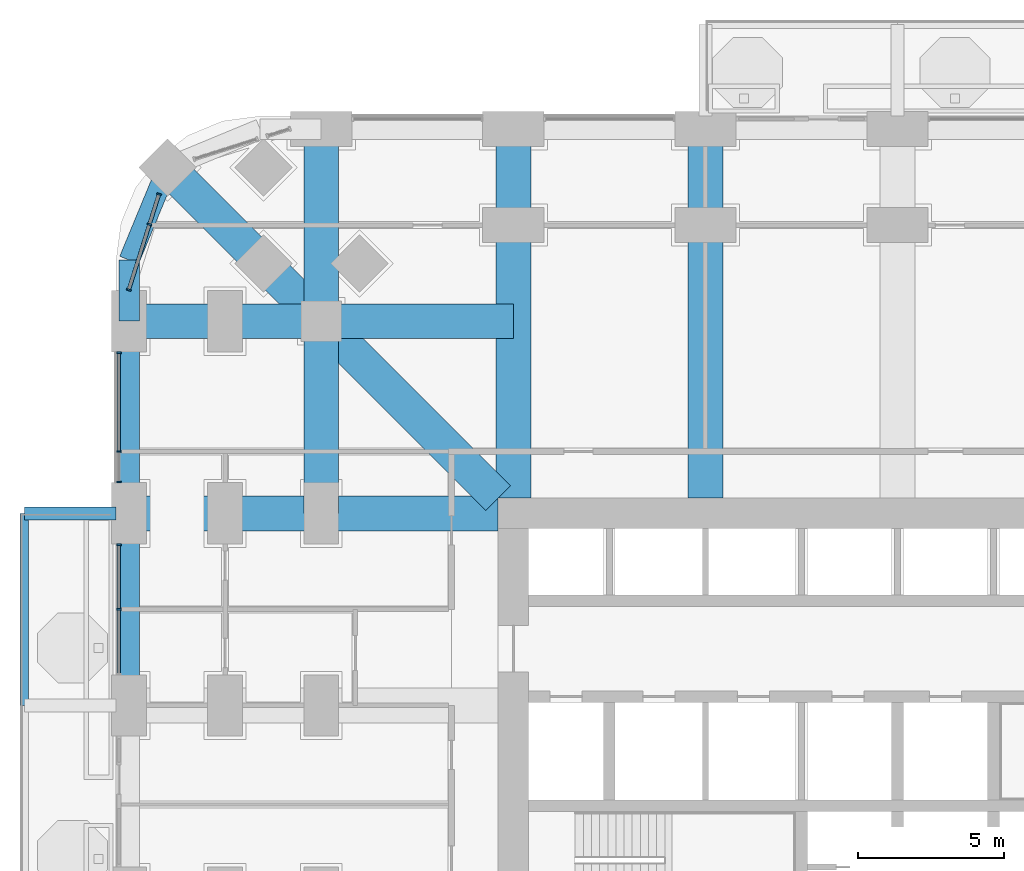
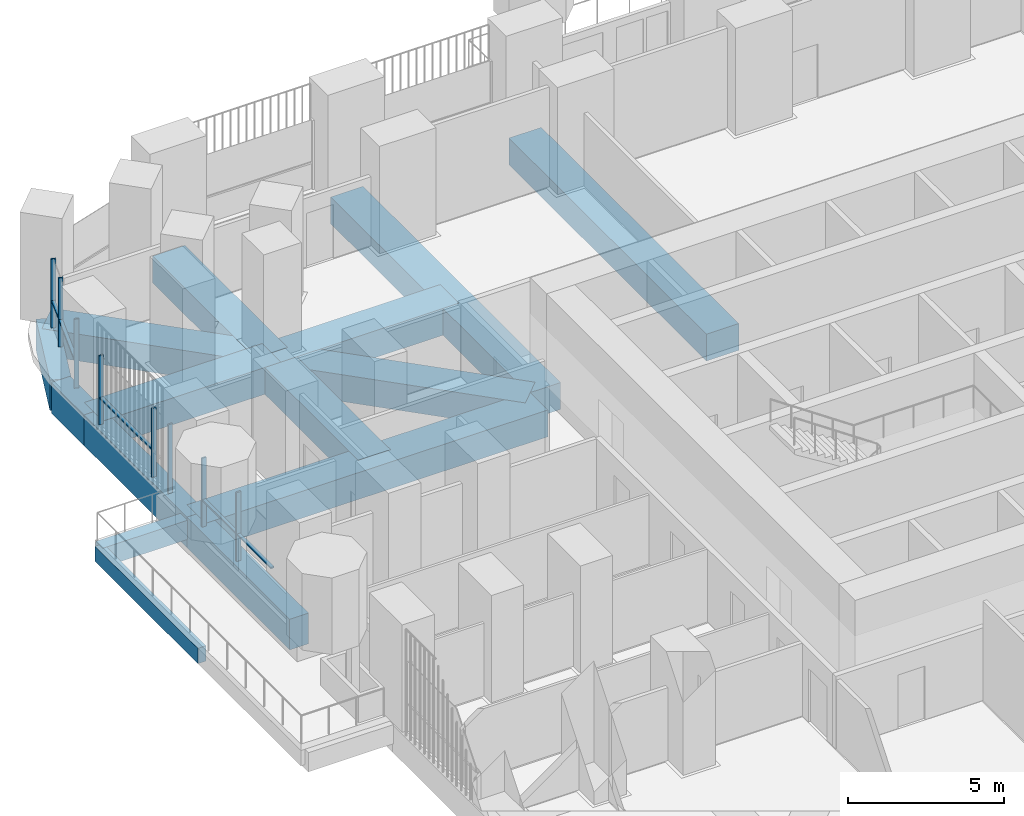
# One storey, part 6 of 26: 15 beams, 13 members, 3 elements without a shape of their own.
"""IFC4 building model written with IfcOpenShell, lengths in metres."""

from ifc_helpers import new_model, si_unit, direction, frame, origin, origin_2d, place, context, subcontext, project, spatial, rectangle, extrude, material, material_profile, profile_set, type_object, element, aggregate, save


model = new_model("IFC4")

# Units and contexts
model_context = context("Model", 3, precision=1e-05, world=origin(), true_north=direction((0.0, 1.0)))
body_context = subcontext(model_context, "Body", "Model", "MODEL_VIEW")
ifc_project = project(units=[si_unit("LENGTHUNIT", "METRE"), si_unit("AREAUNIT", "SQUARE_METRE"), si_unit("VOLUMEUNIT", "CUBIC_METRE"), si_unit("PLANEANGLEUNIT", "RADIAN"), si_unit("MASSUNIT", "GRAM", prefix="KILO")], contexts=[model_context])

# Site, building, storey
site_placement = place(None, origin())
site = spatial("IfcSite", under=ifc_project, at=site_placement, CompositionType="ELEMENT")
building_placement = place(site_placement, origin())
building = spatial("IfcBuilding", under=site, at=building_placement, Name="Cobogo Forest Laboratory Tower", CompositionType="ELEMENT")
storey_placement = place(building_placement, frame((0.0, 0.0, 42.300048828125)))
storey = spatial("IfcBuildingStorey", under=building, at=storey_placement, Name="L09", CompositionType="ELEMENT", Elevation=42.300048828125)

# Beams
ifc_material_1 = material(Name="Concrete HA-40 (C40/50)", Category="concrete")
ifc_material_profile_1 = material_profile(ifc_material_1, rectangle(XDim=0.449951171875, YDim=0.75, at=origin_2d()), Name="RC 450x750")
ifc_profile_set_1 = profile_set([ifc_material_profile_1], Name="Concrete HA-40 (C40/50)")
beam_type_1 = type_object("IfcBeamType", Name="Balcony cantilever beam 450x750", PredefinedType="BEAM", material=ifc_profile_set_1)
beam_1_placement = place(storey_placement, frame((-0.449951171875, 33.0, -0.625), z_axis=(-1.0, 0.0, 0.0), x_axis=(0.0, -1.0, 0.0)))
element("IfcBeam", 1, at=beam_1_placement, inside=storey, type_object=beam_type_1, Name="CB1 BAL-W1-C3 L09", PredefinedType="BEAM", context=body_context, shape_type="SweptSolid", body=[
    extrude(rectangle(XDim=0.449951171875, YDim=0.75, at=origin_2d()), origin(), (0.0, 0.0, 1.0), 3.150146484375),
])
ifc_material_profile_2 = material_profile(ifc_material_1, rectangle(XDim=0.300048828125, YDim=0.60009765625, at=origin_2d()), Name="RC 300x600")
ifc_profile_set_2 = profile_set([ifc_material_profile_2], Name="Concrete HA-40 (C40/50)")
beam_type_2 = type_object("IfcBeamType", Name="Balcony edge beam 300x600", PredefinedType="BEAM", material=ifc_profile_set_2)
beam_2_placement = place(storey_placement, frame((-3.60009765625, 26.39990234375, -0.550048828125), z_axis=(0.0, 1.0, 0.0), x_axis=(-1.0, 0.0, 0.0)))
element("IfcBeam", 2, at=beam_2_placement, inside=storey, type_object=beam_type_2, Name="BB1 BAL-W1-T2 L09", PredefinedType="BEAM", context=body_context, shape_type="SweptSolid", body=[
    extrude(rectangle(XDim=0.300048828125, YDim=0.60009765625, at=origin_2d()), origin(), (0.0, 0.0, 1.0), 6.60009765625),
])
ifc_material_profile_3 = material_profile(ifc_material_1, rectangle(XDim=1.199951171875, YDim=1.050048828125, at=origin_2d()), Name="RC 1200x1050")
ifc_profile_set_3 = profile_set([ifc_material_profile_3], Name="Concrete HA-40 (C40/50)")
beam_type_3 = type_object("IfcBeamType", Name="Laboratory floor wide beam 1200x1050", PredefinedType="BEAM", material=ifc_profile_set_3)
for number, where, z_axis, x_axis, name in (
    (3, (13.199951171875, 33.52490234375, -0.824951171875), (0.0, 1.0, 0.0), (-1.0, 0.0, 0.0), "RB1 R-3-N L09"),
    (4, (19.800048828125, 33.52490234375, -0.824951171875), (0.0, 1.0, 0.0), (-1.0, 0.0, 0.0), "RB1 R-4-N L09"),
    (5, (12.675048828125, 33.0, -0.824951171875), (-1.0, 0.0, 0.0), (0.0, -1.0, 0.0), "RB1 R-F-W L09"),
):
    element("IfcBeam", number, at=place(storey_placement, frame(where, z_axis=z_axis, x_axis=x_axis)), inside=storey, type_object=beam_type_3, Name=name, PredefinedType="BEAM", context=body_context, shape_type="SweptSolid", body=[
        extrude(rectangle(XDim=1.199951171875, YDim=1.050048828125, at=origin_2d()), origin(), (0.0, 0.0, 1.0), 12.675048828125),
    ])
beam_3_placement = place(storey_placement, frame((6.60009765625, 46.199951171875, -0.824951171875), z_axis=(0.0, -1.0, 0.0), x_axis=(1.0, 0.0, 0.0)))
element("IfcBeam", 6, at=beam_3_placement, inside=storey, type_object=beam_type_3, Name="RB1 G-NW-XF L09", PredefinedType="BEAM", context=body_context, shape_type="SweptSolid", body=[
    extrude(rectangle(XDim=1.199951171875, YDim=1.050048828125, at=origin_2d()), origin(), (0.0, 0.0, 1.0), 6.599853515625),
])
for number, where, z_axis, x_axis, name in (
    (7, (6.60009765625, 39.60009765625, -0.824951171875), (0.0, -1.0, 0.0), (1.0, 0.0, 0.0), "RB1 G-NW-XC L09"),
    (8, (0.0, 39.60009765625, -0.824951171875), (1.0, 0.0, 0.0), (0.0, 1.0, 0.0), "RB1 G-NW-YF L09"),
):
    element("IfcBeam", number, at=place(storey_placement, frame(where, z_axis=z_axis, x_axis=x_axis)), inside=storey, type_object=beam_type_3, Name=name, PredefinedType="BEAM", context=body_context, shape_type="SweptSolid", body=[
        extrude(rectangle(XDim=1.199951171875, YDim=1.050048828125, at=origin_2d()), origin(), (0.0, 0.0, 1.0), 6.60009765625),
    ])
beam_4_placement = place(storey_placement, frame((6.60009765625, 39.60009765625, -0.824951171875), z_axis=(1.0, 0.0, 0.0), x_axis=(0.0, 1.0, 0.0)))
element("IfcBeam", 9, at=beam_4_placement, inside=storey, type_object=beam_type_3, Name="RB1 G-NW-YC L09", PredefinedType="BEAM", context=body_context, shape_type="SweptSolid", body=[
    extrude(rectangle(XDim=1.199951171875, YDim=1.050048828125, at=origin_2d()), origin(), (0.0, 0.0, 1.0), 6.599853515625),
])
beam_5_placement = place(storey_placement, frame((1.318115234375, 44.882080078125, -0.824951171875), z_axis=(0.707106781187, -0.707106781187, 0.0), x_axis=(0.707106781187, 0.707106781187, 0.0)))
element("IfcBeam", 10, at=beam_5_placement, inside=storey, type_object=beam_type_3, Name="RB1 G-NW-D1 L09", PredefinedType="BEAM", context=body_context, shape_type="SweptSolid", body=[
    extrude(rectangle(XDim=1.199951171875, YDim=1.050048828125, at=origin_2d()), origin(), (0.0, 0.0, 1.0), 7.469970703125),
])
beam_6_placement = place(storey_placement, frame((6.60009765625, 39.60009765625, -0.824951171875), z_axis=(0.707092572697, -0.70712098939, 0.0), x_axis=(0.70712098939, 0.707092572697, 0.0)))
element("IfcBeam", 11, at=beam_6_placement, inside=storey, type_object=beam_type_3, Name="RB1 G-NW-D2 L09", PredefinedType="BEAM", context=body_context, shape_type="SweptSolid", body=[
    extrude(rectangle(XDim=1.199951171875, YDim=1.050048828125, at=origin_2d()), origin(), (0.0, 0.0, 1.0), 8.591552734375),
])

# Curtain wall, members
ifc_material_2 = material(Name="Aluminium curtain wall", Category="aluminium")
curtain_wall_type = type_object("IfcCurtainWallType", Name="CW-1 unitised curtain wall, clear glazing, laboratory floors zones A and B", PredefinedType="USERDEFINED", material=ifc_material_2)
curtain_wall_1_placement = place(storey_placement, origin())
curtain_wall_1 = element("IfcCurtainWall", 12, at=curtain_wall_1_placement, inside=storey, type_object=curtain_wall_type, Name="Curtain wall 26 L09", ObjectType="UNITISED CURTAIN WALL", PredefinedType="USERDEFINED")
ifc_material_3 = material(Name="Aluminium mullion", Category="aluminium")
ifc_material_profile_4 = material_profile(ifc_material_3, rectangle(XDim=0.06005859375, YDim=0.159912109375, at=origin_2d()), Name="AL 60x160")
ifc_profile_set_4 = profile_set([ifc_material_profile_4], Name="Aluminium mullion")
member_type_1 = type_object("IfcMemberType", Name="MU-1 aluminium mullion 60x160", PredefinedType="MULLION", material=ifc_profile_set_4)
member_1_placement = place(storey_placement, frame((1.02734375, 43.961181640625, 0.0), z_axis=(0.0, 0.0, 1.0), x_axis=(-0.30113535792, -0.95358140513, 0.0)))
member_1 = element("IfcMember", 13, at=member_1_placement, type_object=member_type_1, Name="CW-1 mullion 1", PredefinedType="MULLION", context=body_context, shape_type="SweptSolid", body=[
    extrude(rectangle(XDim=0.06005859375, YDim=0.159912109375, at=origin_2d()), origin(), (0.0, 0.0, 1.0), 2.699951171875),
])
member_2_placement = place(storey_placement, frame((0.69970703125, 42.924072265625, 0.0), z_axis=(0.0, 0.0, 1.0), x_axis=(-0.30113535792, -0.95358140513, 0.0)))
member_2 = element("IfcMember", 14, at=member_2_placement, type_object=member_type_1, Name="CW-1 mullion 2", PredefinedType="MULLION", context=body_context, shape_type="SweptSolid", body=[
    extrude(rectangle(XDim=0.06005859375, YDim=0.159912109375, at=origin_2d()), origin(), (0.0, 0.0, 1.0), 2.699951171875),
])
member_3_placement = place(storey_placement, frame((-0.00927734375, 40.6787109375, 0.0), z_axis=(0.0, 0.0, 1.0), x_axis=(-0.30113535792, -0.95358140513, 0.0)))
member_3 = element("IfcMember", 15, at=member_3_placement, type_object=member_type_1, Name="CW-1 mullion 3", PredefinedType="MULLION", context=body_context, shape_type="SweptSolid", body=[
    extrude(rectangle(XDim=0.06005859375, YDim=0.159912109375, at=origin_2d()), origin(), (0.0, 0.0, 1.0), 2.699951171875),
])

curtain_wall_2_placement = place(storey_placement, origin())
curtain_wall_2 = element("IfcCurtainWall", 16, at=curtain_wall_2_placement, inside=storey, type_object=curtain_wall_type, Name="Curtain wall 27 L09", ObjectType="UNITISED CURTAIN WALL", PredefinedType="USERDEFINED")
member_4_placement = place(storey_placement, frame((-0.35009765625, 38.52001953125, 0.0), z_axis=(0.0, 0.0, 1.0), x_axis=(0.0, -1.0, 0.0)))
member_4 = element("IfcMember", 17, at=member_4_placement, type_object=member_type_1, Name="CW-1 mullion 1", PredefinedType="MULLION", context=body_context, shape_type="SweptSolid", body=[
    extrude(rectangle(XDim=0.06005859375, YDim=0.159912109375, at=origin_2d()), origin(), (0.0, 0.0, 1.0), 2.699951171875),
])
member_5_placement = place(storey_placement, frame((-0.35009765625, 35.125, 0.0), z_axis=(0.0, 0.0, 1.0), x_axis=(0.0, -1.0, 0.0)))
member_5 = element("IfcMember", 18, at=member_5_placement, type_object=member_type_1, Name="CW-1 mullion 2", PredefinedType="MULLION", context=body_context, shape_type="SweptSolid", body=[
    extrude(rectangle(XDim=0.06005859375, YDim=0.159912109375, at=origin_2d()), origin(), (0.0, 0.0, 1.0), 2.699951171875),
])
member_6_placement = place(storey_placement, frame((-0.35009765625, 34.080078125, 0.0), z_axis=(0.0, 0.0, 1.0), x_axis=(0.0, -1.0, 0.0)))
member_6 = element("IfcMember", 19, at=member_6_placement, type_object=member_type_1, Name="CW-1 mullion 3", PredefinedType="MULLION", context=body_context, shape_type="SweptSolid", body=[
    extrude(rectangle(XDim=0.06005859375, YDim=0.159912109375, at=origin_2d()), origin(), (0.0, 0.0, 1.0), 2.699951171875),
])

curtain_wall_3_placement = place(storey_placement, origin())
curtain_wall_3 = element("IfcCurtainWall", 20, at=curtain_wall_3_placement, inside=storey, type_object=curtain_wall_type, Name="Curtain wall 28 L09", ObjectType="UNITISED CURTAIN WALL", PredefinedType="USERDEFINED")
member_7_placement = place(storey_placement, frame((-0.35009765625, 31.919921875, 0.0), z_axis=(0.0, 0.0, 1.0), x_axis=(0.0, -1.0, 0.0)))
member_7 = element("IfcMember", 21, at=member_7_placement, type_object=member_type_1, Name="CW-1 mullion 1", PredefinedType="MULLION", context=body_context, shape_type="SweptSolid", body=[
    extrude(rectangle(XDim=0.06005859375, YDim=0.159912109375, at=origin_2d()), origin(), (0.0, 0.0, 1.0), 2.699951171875),
])
member_8_placement = place(storey_placement, frame((-0.35009765625, 29.699951171875, 0.0), z_axis=(0.0, 0.0, 1.0), x_axis=(0.0, -1.0, 0.0)))
member_8 = element("IfcMember", 22, at=member_8_placement, type_object=member_type_1, Name="CW-1 mullion 2", PredefinedType="MULLION", context=body_context, shape_type="SweptSolid", body=[
    extrude(rectangle(XDim=0.06005859375, YDim=0.159912109375, at=origin_2d()), origin(), (0.0, 0.0, 1.0), 2.699951171875),
])

# Beams
ifc_material_profile_5 = material_profile(ifc_material_1, rectangle(XDim=0.699951171875, YDim=1.199951171875, at=origin_2d()), Name="RC 700x1200")
ifc_profile_set_5 = profile_set([ifc_material_profile_5], Name="Concrete HA-40 (C40/50)")
beam_type_4 = type_object("IfcBeamType", Name="Perimeter edge beam 700x1200", PredefinedType="BEAM", material=ifc_profile_set_5)
for number, where, z_axis, x_axis, name in (
    (23, (0.0, 26.39990234375, -0.900146484375), (0.0, 1.0, 0.0), (-1.0, 0.0, 0.0), "EB1 E-W4 L09"),
    (24, (0.0, 33.0, -0.900146484375), (0.0, 1.0, 0.0), (-1.0, 0.0, 0.0), "EB1 E-W5 L09"),
):
    element("IfcBeam", number, at=place(storey_placement, frame(where, z_axis=z_axis, x_axis=x_axis)), inside=storey, type_object=beam_type_4, Name=name, PredefinedType="BEAM", context=body_context, shape_type="SweptSolid", body=[
        extrude(rectangle(XDim=0.699951171875, YDim=1.199951171875, at=origin_2d()), origin(), (0.0, 0.0, 1.0), 6.60009765625),
    ])
beam_7_placement = place(storey_placement, frame((0.0, 39.60009765625, -0.900146484375), z_axis=(0.0, 1.0, 0.0), x_axis=(-1.0, 0.0, 0.0)))
element("IfcBeam", 25, at=beam_7_placement, inside=storey, type_object=beam_type_4, Name="EB1 E-NWW1 L09", PredefinedType="BEAM", context=body_context, shape_type="SweptSolid", body=[
    extrude(rectangle(XDim=0.699951171875, YDim=1.199951171875, at=origin_2d()), origin(), (0.0, 0.0, 1.0), 2.099853515625),
])
beam_8_placement = place(storey_placement, frame((0.0, 41.699951171875, -0.900146484375), z_axis=(0.382691928466, 0.923876013265, 0.0), x_axis=(-0.923876013265, 0.382691928466, 0.0)))
element("IfcBeam", 26, at=beam_8_placement, inside=storey, type_object=beam_type_4, Name="EB1 E-NWW2 L09", PredefinedType="BEAM", context=body_context, shape_type="SweptSolid", body=[
    extrude(rectangle(XDim=0.699951171875, YDim=1.199951171875, at=origin_2d()), origin(), (0.0, 0.0, 1.0), 3.4443359375),
])

# Member
ifc_material_4 = material(Name="Aluminium transom", Category="aluminium")
ifc_material_profile_6 = material_profile(ifc_material_4, rectangle(XDim=0.1201171875, YDim=0.06005859375, at=origin_2d()), Name="AL 60x120")
ifc_profile_set_6 = profile_set([ifc_material_profile_6], Name="Aluminium transom")
member_type_2 = type_object("IfcMemberType", Name="TR-1 aluminium transom 60x120", PredefinedType="USERDEFINED", material=ifc_profile_set_6)
member_9_placement = place(storey_placement, frame((1.018310546875, 43.9326171875, 1.050048828125), z_axis=(-0.301222320394, -0.953553938535, 0.0), x_axis=(0.953553938535, -0.301222320394, 0.0)))
member_9 = element("IfcMember", 27, at=member_9_placement, type_object=member_type_2, Name="CW-1 transom 1.1", ObjectType="TRANSOM", PredefinedType="USERDEFINED", context=body_context, shape_type="SweptSolid", body=[
    extrude(rectangle(XDim=0.1201171875, YDim=0.06005859375, at=origin_2d()), origin(), (0.0, 0.0, 1.0), 1.02783203125),
])

member_10_placement = place(storey_placement, frame((0.690673828125, 42.8955078125, 1.050048828125), z_axis=(-0.301090633022, -0.953595527835, 0.0), x_axis=(0.953595527835, -0.301090633022, 0.0)))
member_10 = element("IfcMember", 28, at=member_10_placement, type_object=member_type_2, Name="CW-1 transom 2.1", ObjectType="TRANSOM", PredefinedType="USERDEFINED", context=body_context, shape_type="SweptSolid", body=[
    extrude(rectangle(XDim=0.1201171875, YDim=0.06005859375, at=origin_2d()), origin(), (0.0, 0.0, 1.0), 2.294677734375),
])

aggregate(curtain_wall_1, [member_1, member_2, member_3, member_9, member_10])

member_11_placement = place(storey_placement, frame((-0.35009765625, 38.489990234375, 1.050048828125), z_axis=(0.0, -1.0, 0.0), x_axis=(1.0, 0.0, 0.0)))
member_11 = element("IfcMember", 29, at=member_11_placement, type_object=member_type_2, Name="CW-1 transom 1.1", ObjectType="TRANSOM", PredefinedType="USERDEFINED", context=body_context, shape_type="SweptSolid", body=[
    extrude(rectangle(XDim=0.1201171875, YDim=0.06005859375, at=origin_2d()), origin(), (0.0, 0.0, 1.0), 3.3349609375),
])

aggregate(curtain_wall_2, [member_4, member_5, member_6, member_11])

member_12_placement = place(storey_placement, frame((-0.35009765625, 31.889892578125, 1.050048828125), z_axis=(0.0, -1.0, 0.0), x_axis=(1.0, 0.0, 0.0)))
member_12 = element("IfcMember", 30, at=member_12_placement, type_object=member_type_2, Name="CW-1 transom 1.1", ObjectType="TRANSOM", PredefinedType="USERDEFINED", context=body_context, shape_type="SweptSolid", body=[
    extrude(rectangle(XDim=0.1201171875, YDim=0.06005859375, at=origin_2d()), origin(), (0.0, 0.0, 1.0), 2.159912109375),
])

member_13_placement = place(storey_placement, frame((-0.35009765625, 29.669921875, 1.050048828125), z_axis=(0.0, -1.0, 0.0), x_axis=(1.0, 0.0, 0.0)))
member_13 = element("IfcMember", 31, at=member_13_placement, type_object=member_type_2, Name="CW-1 transom 2.1", ObjectType="TRANSOM", PredefinedType="USERDEFINED", context=body_context, shape_type="SweptSolid", body=[
    extrude(rectangle(XDim=0.1201171875, YDim=0.06005859375, at=origin_2d()), origin(), (0.0, 0.0, 1.0), 2.159912109375),
])

aggregate(curtain_wall_3, [member_7, member_8, member_12, member_13])

save(model, "model.ifc")
